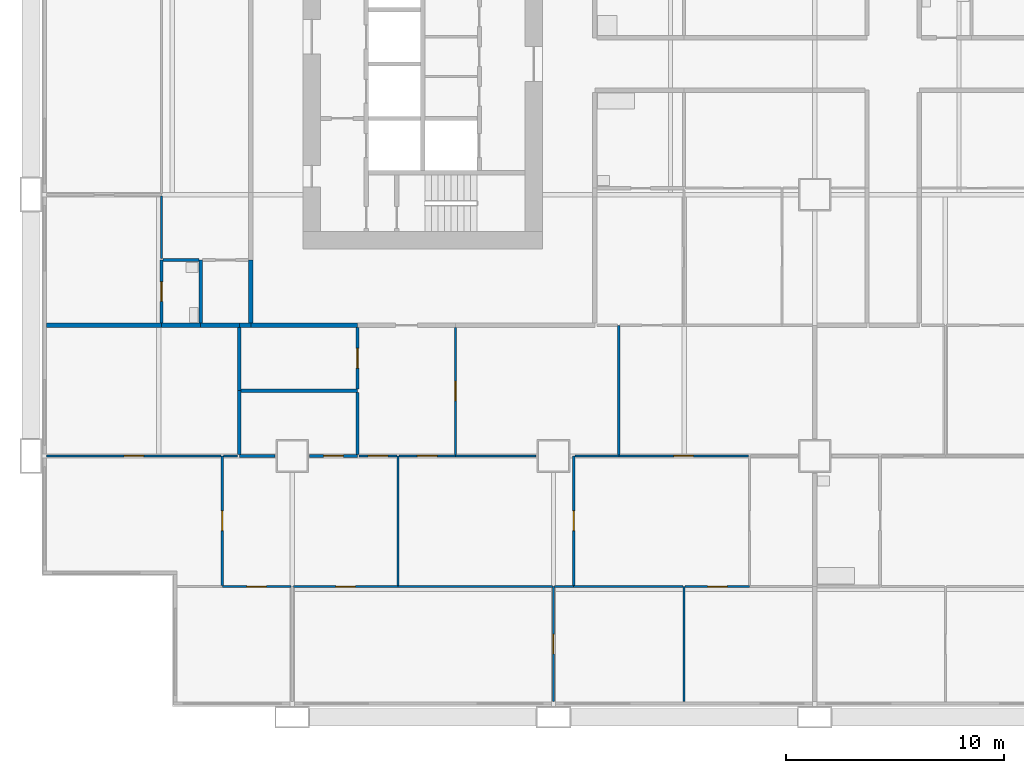
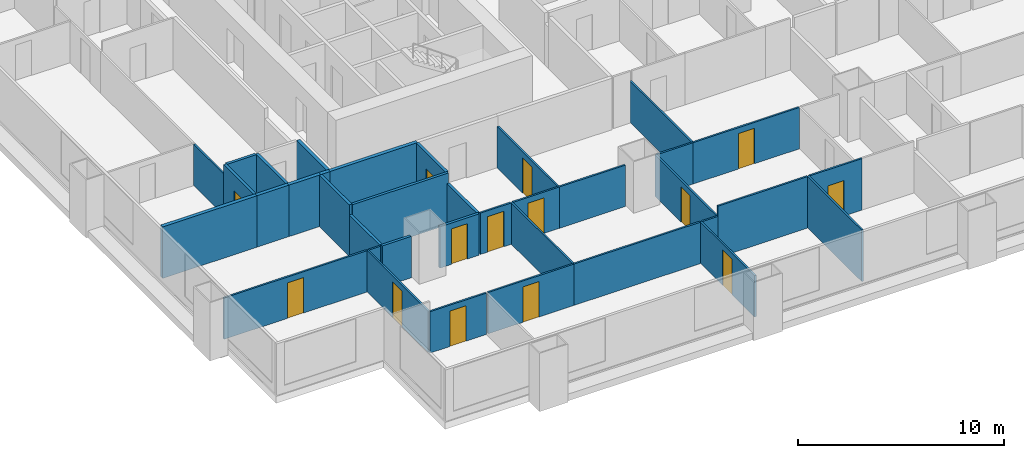
# One storey, part 2 of 13: 37 walls, 14 doors, 14 openings.
"""IFC4 building model written with IfcOpenShell, lengths in metres."""

from ifc_helpers import new_model, si_unit, direction, frame, frame_2d, origin, place, context, subcontext, project, spatial, rectangle, extrude, material, layer, layer_set, type_object, element, fill, save


model = new_model("IFC4")

# Units and contexts
model_context = context("Model", 3, precision=1e-05, world=origin(), true_north=direction((0.0, 1.0)))
body_context = subcontext(model_context, "Body", "Model", "MODEL_VIEW")
ifc_project = project(units=[si_unit("LENGTHUNIT", "METRE"), si_unit("AREAUNIT", "SQUARE_METRE"), si_unit("VOLUMEUNIT", "CUBIC_METRE"), si_unit("PLANEANGLEUNIT", "RADIAN"), si_unit("MASSUNIT", "GRAM", prefix="KILO")], contexts=[model_context])

# Site, building, storey
site_placement = place(None, origin())
site = spatial("IfcSite", under=ifc_project, at=site_placement, CompositionType="ELEMENT")
building_placement = place(site_placement, origin())
building = spatial("IfcBuilding", under=site, at=building_placement, Name="Kitamizu Gate Tower and Museum", CompositionType="ELEMENT")
storey_placement = place(building_placement, frame((0.0, 0.0, 81.75)))
storey = spatial("IfcBuildingStorey", under=building, at=storey_placement, Name="L20", CompositionType="ELEMENT", Elevation=81.75)

# Wall, opening, door
ifc_material_1 = material(Name="Gypsum board on galvanised stud")
ifc_layer_1 = layer(ifc_material_1, 0.10009765625)
ifc_layer_set_1 = layer_set([ifc_layer_1], Name="Gypsum board on galvanised stud")
wall_type_1 = type_object("IfcWallType", Name="Partition 100 NOT RATED", PredefinedType="PARTITIONING", material=ifc_layer_set_1)
wall_1_placement = place(storey_placement, frame((11.949951171875, 6.0, 0.0), z_axis=(0.0, 0.0, 1.0), x_axis=(-1.0, 0.0, 0.0)))
wall_1 = element("IfcWall", 1, at=wall_1_placement, inside=storey, type_object=wall_type_1, Name="Partition L20-003", PredefinedType="PARTITIONING", context=body_context, shape_type="SweptSolid", body=[
    extrude(rectangle(XDim=3.159912109375, YDim=0.10009765625, at=frame_2d((1.580078125, 0.0))), origin(), (0.0, 0.0, 1.0), 2.449951171875),
])
opening_1_placement = place(wall_1_placement, frame((1.1298828125, 0.0, 0.0)))
opening_1 = element("IfcOpeningElement", 2, at=opening_1_placement, cuts=wall_1, Name="Opening L20-004", PredefinedType="OPENING", context=body_context, shape_type="SweptSolid", body=[
    extrude(rectangle(XDim=0.89990234375, YDim=2.10009765625, at=frame_2d((0.449951171875, 1.050048828125))), frame((0.0, 0.06005859375, 0.0), z_axis=(0.0, -1.0, 0.0), x_axis=(1.0, 0.0, 0.0)), (0.0, 0.0, 1.0), 0.1201171875),
])
ifc_material_2 = material(Name="Timber door set", Category="wood")
door_type_1 = type_object("IfcDoorType", Name="Room door 900", OperationType="NOTDEFINED", PredefinedType="DOOR", material=ifc_material_2)
door_1_placement = place(opening_1_placement, origin())
door_1 = element("IfcDoor", 3, at=door_1_placement, inside=storey, type_object=door_type_1, Name="Door L20-004", OperationType="SINGLE_SWING_RIGHT", OverallHeight=2.10009765625, OverallWidth=0.89990234375, PredefinedType="DOOR", context=body_context, shape_type="SweptSolid", body=[
    extrude(rectangle(XDim=0.89990234375, YDim=2.10009765625, at=frame_2d((0.449951171875, 1.050048828125))), frame((0.0, 0.02490234375, 0.0), z_axis=(0.0, -1.0, 0.0), x_axis=(1.0, 0.0, 0.0)), (0.0, 0.0, 1.0), 0.050048828125),
])
fill(opening_1, door_1)

wall_2_placement = place(storey_placement, frame((24.0, 0.719970703125, 0.0), z_axis=(0.0, 0.0, 1.0), x_axis=(0.0, 1.0, 0.0)))
wall_2 = element("IfcWall", 4, at=wall_2_placement, inside=storey, type_object=wall_type_1, Name="Partition L20-004", PredefinedType="PARTITIONING", context=body_context, shape_type="SweptSolid", body=[
    extrude(rectangle(XDim=5.280029296875, YDim=0.10009765625, at=frame_2d((2.64013671875, 0.0))), origin(), (0.0, 0.0, 1.0), 2.449951171875),
])
opening_2_placement = place(wall_2_placement, frame((2.18994140625, 0.0, 0.0)))
opening_2 = element("IfcOpeningElement", 5, at=opening_2_placement, cuts=wall_2, Name="Opening L20-008", PredefinedType="OPENING", context=body_context, shape_type="SweptSolid", body=[
    extrude(rectangle(XDim=0.89990234375, YDim=2.10009765625, at=frame_2d((0.449951171875, 1.050048828125))), frame((0.0, 0.06005859375, 0.0), z_axis=(0.0, -1.0, 0.0), x_axis=(1.0, 0.0, 0.0)), (0.0, 0.0, 1.0), 0.1201171875),
])
door_2_placement = place(opening_2_placement, frame((0.89990234375, 0.0, 0.0), x_axis=(-1.0, 0.0, 0.0)))
door_2 = element("IfcDoor", 6, at=door_2_placement, inside=storey, type_object=door_type_1, Name="Door L20-008", OperationType="SINGLE_SWING_LEFT", OverallHeight=2.10009765625, OverallWidth=0.89990234375, PredefinedType="DOOR", context=body_context, shape_type="SweptSolid", body=[
    extrude(rectangle(XDim=0.89990234375, YDim=2.10009765625, at=frame_2d((0.449951171875, 1.050048828125))), frame((0.0, 0.02490234375, 0.0), z_axis=(0.0, -1.0, 0.0), x_axis=(1.0, 0.0, 0.0)), (0.0, 0.0, 1.0), 0.050048828125),
])
fill(opening_2, door_2)

wall_3_placement = place(storey_placement, frame((16.860107421875, 6.0, 0.0), z_axis=(0.0, 0.0, 1.0), x_axis=(-1.0, 0.0, 0.0)))
wall_3 = element("IfcWall", 7, at=wall_3_placement, inside=storey, type_object=wall_type_1, Name="Partition L20-005", PredefinedType="PARTITIONING", context=body_context, shape_type="SweptSolid", body=[
    extrude(rectangle(XDim=4.81005859375, YDim=0.10009765625, at=frame_2d((2.405029296875, 0.0))), origin(), (0.0, 0.0, 1.0), 2.449951171875),
])
opening_3_placement = place(wall_3_placement, frame((1.955078125, 0.0, 0.0)))
opening_3 = element("IfcOpeningElement", 8, at=opening_3_placement, cuts=wall_3, Name="Opening L20-005", PredefinedType="OPENING", context=body_context, shape_type="SweptSolid", body=[
    extrude(rectangle(XDim=0.89990234375, YDim=2.10009765625, at=frame_2d((0.449951171875, 1.050048828125))), frame((0.0, 0.06005859375, 0.0), z_axis=(0.0, -1.0, 0.0), x_axis=(1.0, 0.0, 0.0)), (0.0, 0.0, 1.0), 0.1201171875),
])
door_3_placement = place(opening_3_placement, frame((0.89990234375, 0.0, 0.0), x_axis=(-1.0, 0.0, 0.0)))
door_3 = element("IfcDoor", 9, at=door_3_placement, inside=storey, type_object=door_type_1, Name="Door L20-005", OperationType="SINGLE_SWING_RIGHT", OverallHeight=2.10009765625, OverallWidth=0.89990234375, PredefinedType="DOOR", context=body_context, shape_type="SweptSolid", body=[
    extrude(rectangle(XDim=0.89990234375, YDim=2.10009765625, at=frame_2d((0.449951171875, 1.050048828125))), frame((0.0, 0.02490234375, 0.0), z_axis=(0.0, -1.0, 0.0), x_axis=(1.0, 0.0, 0.0)), (0.0, 0.0, 1.0), 0.050048828125),
])
fill(opening_3, door_3)

# Walls
wall_4_placement = place(storey_placement, frame((23.949951171875, 6.0, 0.0), z_axis=(0.0, 0.0, 1.0), x_axis=(-1.0, 0.0, 0.0)))
element("IfcWall", 10, at=wall_4_placement, inside=storey, type_object=wall_type_1, Name="Partition L20-006", PredefinedType="PARTITIONING", context=body_context, shape_type="SweptSolid", body=[
    extrude(rectangle(XDim=7.08984375, YDim=0.10009765625, at=frame_2d((3.544921875, 0.0))), origin(), (0.0, 0.0, 1.0), 2.449951171875),
])
wall_5_placement = place(storey_placement, frame((30.0, 0.719970703125, 0.0), z_axis=(0.0, 0.0, 1.0), x_axis=(0.0, 1.0, 0.0)))
element("IfcWall", 11, at=wall_5_placement, inside=storey, type_object=wall_type_1, Name="Partition L20-007", PredefinedType="PARTITIONING", context=body_context, shape_type="SweptSolid", body=[
    extrude(rectangle(XDim=5.280029296875, YDim=0.10009765625, at=frame_2d((2.64013671875, 0.0))), origin(), (0.0, 0.0, 1.0), 3.050048828125),
])
wall_6_placement = place(storey_placement, frame((24.929931640625, 6.0, 0.0), z_axis=(0.0, 0.0, 1.0), x_axis=(-1.0, 0.0, 0.0)))
element("IfcWall", 12, at=wall_6_placement, inside=storey, type_object=wall_type_1, Name="Partition L20-008", PredefinedType="PARTITIONING", context=body_context, shape_type="SweptSolid", body=[
    extrude(rectangle(XDim=0.8798828125, YDim=0.10009765625, at=frame_2d((0.43994140625, 0.0))), origin(), (0.0, 0.0, 1.0), 2.449951171875),
])
wall_7_placement = place(storey_placement, frame((29.949951171875, 6.0, 0.0), z_axis=(0.0, 0.0, 1.0), x_axis=(-1.0, 0.0, 0.0)))
element("IfcWall", 13, at=wall_7_placement, inside=storey, type_object=wall_type_1, Name="Partition L20-009", PredefinedType="PARTITIONING", context=body_context, shape_type="SweptSolid", body=[
    extrude(rectangle(XDim=5.02001953125, YDim=0.10009765625, at=frame_2d((2.510009765625, 0.0))), origin(), (0.0, 0.0, 1.0), 3.050048828125),
])

# Wall, opening, door
wall_8_placement = place(storey_placement, frame((33.0, 6.0, 0.0), z_axis=(0.0, 0.0, 1.0), x_axis=(-1.0, 0.0, 0.0)))
wall_8 = element("IfcWall", 14, at=wall_8_placement, inside=storey, type_object=wall_type_1, Name="Partition L20-010", PredefinedType="PARTITIONING", context=body_context, shape_type="SweptSolid", body=[
    extrude(rectangle(XDim=2.949951171875, YDim=0.10009765625, at=frame_2d((1.47509765625, 0.0))), origin(), (0.0, 0.0, 1.0), 3.050048828125),
])
opening_4_placement = place(wall_8_placement, frame((1.02490234375, 0.0, 0.0)))
opening_4 = element("IfcOpeningElement", 15, at=opening_4_placement, cuts=wall_8, Name="Opening L20-009", PredefinedType="OPENING", context=body_context, shape_type="SweptSolid", body=[
    extrude(rectangle(XDim=0.89990234375, YDim=2.10009765625, at=frame_2d((0.449951171875, 1.050048828125))), frame((0.0, 0.06005859375, 0.0), z_axis=(0.0, -1.0, 0.0), x_axis=(1.0, 0.0, 0.0)), (0.0, 0.0, 1.0), 0.1201171875),
])
door_4_placement = place(opening_4_placement, origin())
door_4 = element("IfcDoor", 16, at=door_4_placement, inside=storey, type_object=door_type_1, Name="Door L20-009", OperationType="SINGLE_SWING_LEFT", OverallHeight=2.10009765625, OverallWidth=0.89990234375, PredefinedType="DOOR", context=body_context, shape_type="SweptSolid", body=[
    extrude(rectangle(XDim=0.89990234375, YDim=2.10009765625, at=frame_2d((0.449951171875, 1.050048828125))), frame((0.0, 0.02490234375, 0.0), z_axis=(0.0, -1.0, 0.0), x_axis=(1.0, 0.0, 0.0)), (0.0, 0.0, 1.0), 0.050048828125),
])
fill(opening_4, door_4)

wall_9_placement = place(storey_placement, frame((8.7900390625, 6.050048828125, 0.0), z_axis=(0.0, 0.0, 1.0), x_axis=(0.0, 1.0, 0.0)))
wall_9 = element("IfcWall", 17, at=wall_9_placement, inside=storey, type_object=wall_type_1, Name="Partition L20-013", PredefinedType="PARTITIONING", context=body_context, shape_type="SweptSolid", body=[
    extrude(rectangle(XDim=5.949951171875, YDim=0.10009765625, at=frame_2d((2.97509765625, 0.0))), origin(), (0.0, 0.0, 1.0), 2.449951171875),
])
opening_5_placement = place(wall_9_placement, frame((2.52490234375, 0.0, 0.0)))
opening_5 = element("IfcOpeningElement", 18, at=opening_5_placement, cuts=wall_9, Name="Opening L20-006", PredefinedType="OPENING", context=body_context, shape_type="SweptSolid", body=[
    extrude(rectangle(XDim=0.89990234375, YDim=2.10009765625, at=frame_2d((0.449951171875, 1.050048828125))), frame((0.0, 0.06005859375, 0.0), z_axis=(0.0, -1.0, 0.0), x_axis=(1.0, 0.0, 0.0)), (0.0, 0.0, 1.0), 0.1201171875),
])
door_5_placement = place(opening_5_placement, frame((0.89990234375, 0.0, 0.0), x_axis=(-1.0, 0.0, 0.0)))
door_5 = element("IfcDoor", 19, at=door_5_placement, inside=storey, type_object=door_type_1, Name="Door L20-006", OperationType="SINGLE_SWING_LEFT", OverallHeight=2.10009765625, OverallWidth=0.89990234375, PredefinedType="DOOR", context=body_context, shape_type="SweptSolid", body=[
    extrude(rectangle(XDim=0.89990234375, YDim=2.10009765625, at=frame_2d((0.449951171875, 1.050048828125))), frame((0.0, 0.02490234375, 0.0), z_axis=(0.0, -1.0, 0.0), x_axis=(1.0, 0.0, 0.0)), (0.0, 0.0, 1.0), 0.050048828125),
])
fill(opening_5, door_5)

wall_10_placement = place(storey_placement, frame((8.739990234375, 12.0, 0.0), z_axis=(0.0, 0.0, 1.0), x_axis=(-1.0, 0.0, 0.0)))
wall_10 = element("IfcWall", 20, at=wall_10_placement, inside=storey, type_object=wall_type_1, Name="Partition L20-014", PredefinedType="PARTITIONING", context=body_context, shape_type="SweptSolid", body=[
    extrude(rectangle(XDim=8.02001953125, YDim=0.10009765625, at=frame_2d((4.010009765625, 0.0))), origin(), (0.0, 0.0, 1.0), 2.449951171875),
])
opening_6_placement = place(wall_10_placement, frame((3.56005859375, 0.0, 0.0)))
opening_6 = element("IfcOpeningElement", 21, at=opening_6_placement, cuts=wall_10, Name="Opening L20-011", PredefinedType="OPENING", context=body_context, shape_type="SweptSolid", body=[
    extrude(rectangle(XDim=0.89990234375, YDim=2.10009765625, at=frame_2d((0.449951171875, 1.050048828125))), frame((0.0, 0.06005859375, 0.0), z_axis=(0.0, -1.0, 0.0), x_axis=(1.0, 0.0, 0.0)), (0.0, 0.0, 1.0), 0.1201171875),
])
door_6_placement = place(opening_6_placement, frame((0.89990234375, 0.0, 0.0), x_axis=(-1.0, 0.0, 0.0)))
door_6 = element("IfcDoor", 22, at=door_6_placement, inside=storey, type_object=door_type_1, Name="Door L20-011", OperationType="SINGLE_SWING_LEFT", OverallHeight=2.10009765625, OverallWidth=0.89990234375, PredefinedType="DOOR", context=body_context, shape_type="SweptSolid", body=[
    extrude(rectangle(XDim=0.89990234375, YDim=2.10009765625, at=frame_2d((0.449951171875, 1.050048828125))), frame((0.0, 0.02490234375, 0.0), z_axis=(0.0, -1.0, 0.0), x_axis=(1.0, 0.0, 0.0)), (0.0, 0.0, 1.0), 0.050048828125),
])
fill(opening_6, door_6)

# Walls
wall_11_placement = place(storey_placement, frame((16.860107421875, 6.050048828125, 0.0), z_axis=(0.0, 0.0, 1.0), x_axis=(0.0, 1.0, 0.0)))
element("IfcWall", 23, at=wall_11_placement, inside=storey, type_object=wall_type_1, Name="Partition L20-015", PredefinedType="PARTITIONING", context=body_context, shape_type="SweptSolid", body=[
    extrude(rectangle(XDim=5.949951171875, YDim=0.10009765625, at=frame_2d((2.97509765625, 0.0))), origin(), (0.0, 0.0, 1.0), 2.449951171875),
])
wall_12_placement = place(storey_placement, frame((9.4990234375, 12.0, 0.0), z_axis=(0.0, 0.0, 1.0), x_axis=(-1.0, 0.0, 0.0)))
element("IfcWall", 24, at=wall_12_placement, inside=storey, type_object=wall_type_1, Name="Partition L20-016", PredefinedType="PARTITIONING", context=body_context, shape_type="SweptSolid", body=[
    extrude(rectangle(XDim=0.658935546875, YDim=0.10009765625, at=frame_2d((0.32958984375, 0.0))), origin(), (0.0, 0.0, 1.0), 2.449951171875),
])

# Wall, opening, door
wall_13_placement = place(storey_placement, frame((16.81005859375, 12.0, 0.0), z_axis=(0.0, 0.0, 1.0), x_axis=(-1.0, 0.0, 0.0)))
wall_13 = element("IfcWall", 25, at=wall_13_placement, inside=storey, type_object=wall_type_1, Name="Partition L20-019", PredefinedType="PARTITIONING", context=body_context, shape_type="SweptSolid", body=[
    extrude(rectangle(XDim=1.735107421875, YDim=0.10009765625, at=frame_2d((0.86767578125, 0.0))), origin(), (0.0, 0.0, 1.0), 2.449951171875),
])
opening_7_placement = place(wall_13_placement, frame((0.41748046875, 0.0, 0.0)))
opening_7 = element("IfcOpeningElement", 26, at=opening_7_placement, cuts=wall_13, Name="Opening L20-002", PredefinedType="OPENING", context=body_context, shape_type="SweptSolid", body=[
    extrude(rectangle(XDim=0.89990234375, YDim=2.10009765625, at=frame_2d((0.449951171875, 1.050048828125))), frame((0.0, 0.06005859375, 0.0), z_axis=(0.0, -1.0, 0.0), x_axis=(1.0, 0.0, 0.0)), (0.0, 0.0, 1.0), 0.1201171875),
])
door_7_placement = place(opening_7_placement, origin())
door_7 = element("IfcDoor", 27, at=door_7_placement, inside=storey, type_object=door_type_1, Name="Door L20-002", OperationType="SINGLE_SWING_RIGHT", OverallHeight=2.10009765625, OverallWidth=0.89990234375, PredefinedType="DOOR", context=body_context, shape_type="SweptSolid", body=[
    extrude(rectangle(XDim=0.89990234375, YDim=2.10009765625, at=frame_2d((0.449951171875, 1.050048828125))), frame((0.0, 0.02490234375, 0.0), z_axis=(0.0, -1.0, 0.0), x_axis=(1.0, 0.0, 0.0)), (0.0, 0.0, 1.0), 0.050048828125),
])
fill(opening_7, door_7)

wall_14_placement = place(storey_placement, frame((24.929931640625, 6.050048828125, 0.0), z_axis=(0.0, 0.0, 1.0), x_axis=(0.0, 1.0, 0.0)))
wall_14 = element("IfcWall", 28, at=wall_14_placement, inside=storey, type_object=wall_type_1, Name="Partition L20-020", PredefinedType="PARTITIONING", context=body_context, shape_type="SweptSolid", body=[
    extrude(rectangle(XDim=5.949951171875, YDim=0.10009765625, at=frame_2d((2.97509765625, 0.0))), origin(), (0.0, 0.0, 1.0), 2.449951171875),
])
opening_8_placement = place(wall_14_placement, frame((2.52490234375, 0.0, 0.0)))
opening_8 = element("IfcOpeningElement", 29, at=opening_8_placement, cuts=wall_14, Name="Opening L20-007", PredefinedType="OPENING", context=body_context, shape_type="SweptSolid", body=[
    extrude(rectangle(XDim=0.89990234375, YDim=2.10009765625, at=frame_2d((0.449951171875, 1.050048828125))), frame((0.0, 0.06005859375, 0.0), z_axis=(0.0, -1.0, 0.0), x_axis=(1.0, 0.0, 0.0)), (0.0, 0.0, 1.0), 0.1201171875),
])
door_8_placement = place(opening_8_placement, origin())
door_8 = element("IfcDoor", 30, at=door_8_placement, inside=storey, type_object=door_type_1, Name="Door L20-007", OperationType="SINGLE_SWING_LEFT", OverallHeight=2.10009765625, OverallWidth=0.89990234375, PredefinedType="DOOR", context=body_context, shape_type="SweptSolid", body=[
    extrude(rectangle(XDim=0.89990234375, YDim=2.10009765625, at=frame_2d((0.449951171875, 1.050048828125))), frame((0.0, 0.02490234375, 0.0), z_axis=(0.0, -1.0, 0.0), x_axis=(1.0, 0.0, 0.0)), (0.0, 0.0, 1.0), 0.050048828125),
])
fill(opening_8, door_8)

wall_15_placement = place(storey_placement, frame((19.5, 12.0, 0.0), z_axis=(0.0, 0.0, 1.0), x_axis=(-1.0, 0.0, 0.0)))
wall_15 = element("IfcWall", 31, at=wall_15_placement, inside=storey, type_object=wall_type_1, Name="Partition L20-021", PredefinedType="PARTITIONING", context=body_context, shape_type="SweptSolid", body=[
    extrude(rectangle(XDim=2.590087890625, YDim=0.10009765625, at=frame_2d((1.294921875, 0.0))), origin(), (0.0, 0.0, 1.0), 2.449951171875),
])
opening_9_placement = place(wall_15_placement, frame((0.844970703125, 0.0, 0.0)))
opening_9 = element("IfcOpeningElement", 32, at=opening_9_placement, cuts=wall_15, Name="Opening L20-003", PredefinedType="OPENING", context=body_context, shape_type="SweptSolid", body=[
    extrude(rectangle(XDim=0.89990234375, YDim=2.10009765625, at=frame_2d((0.449951171875, 1.050048828125))), frame((0.0, 0.06005859375, 0.0), z_axis=(0.0, -1.0, 0.0), x_axis=(1.0, 0.0, 0.0)), (0.0, 0.0, 1.0), 0.1201171875),
])
door_9_placement = place(opening_9_placement, origin())
door_9 = element("IfcDoor", 33, at=door_9_placement, inside=storey, type_object=door_type_1, Name="Door L20-003", OperationType="SINGLE_SWING_LEFT", OverallHeight=2.10009765625, OverallWidth=0.89990234375, PredefinedType="DOOR", context=body_context, shape_type="SweptSolid", body=[
    extrude(rectangle(XDim=0.89990234375, YDim=2.10009765625, at=frame_2d((0.449951171875, 1.050048828125))), frame((0.0, 0.02490234375, 0.0), z_axis=(0.0, -1.0, 0.0), x_axis=(1.0, 0.0, 0.0)), (0.0, 0.0, 1.0), 0.050048828125),
])
fill(opening_9, door_9)

# Walls
wall_16_placement = place(storey_placement, frame((23.199951171875, 12.0, 0.0), z_axis=(0.0, 0.0, 1.0), x_axis=(-1.0, 0.0, 0.0)))
element("IfcWall", 34, at=wall_16_placement, inside=storey, type_object=wall_type_1, Name="Partition L20-022", PredefinedType="PARTITIONING", context=body_context, shape_type="SweptSolid", body=[
    extrude(rectangle(XDim=3.699951171875, YDim=0.10009765625, at=frame_2d((1.85009765625, 0.0))), origin(), (0.0, 0.0, 1.0), 2.449951171875),
])
wall_17_placement = place(storey_placement, frame((27.0, 12.0, 0.0), z_axis=(0.0, 0.0, 1.0), x_axis=(-1.0, 0.0, 0.0)))
element("IfcWall", 35, at=wall_17_placement, inside=storey, type_object=wall_type_1, Name="Partition L20-024", PredefinedType="PARTITIONING", context=body_context, shape_type="SweptSolid", body=[
    extrude(rectangle(XDim=2.02001953125, YDim=0.10009765625, at=frame_2d((1.010009765625, 0.0))), origin(), (0.0, 0.0, 1.0), 2.449951171875),
])

# Wall, opening, door
wall_18_placement = place(storey_placement, frame((32.949951171875, 12.0, 0.0), z_axis=(0.0, 0.0, 1.0), x_axis=(-1.0, 0.0, 0.0)))
wall_18 = element("IfcWall", 36, at=wall_18_placement, inside=storey, type_object=wall_type_1, Name="Partition L20-025", PredefinedType="PARTITIONING", context=body_context, shape_type="SweptSolid", body=[
    extrude(rectangle(XDim=5.949951171875, YDim=0.10009765625, at=frame_2d((2.97509765625, 0.0))), origin(), (0.0, 0.0, 1.0), 2.449951171875),
])
opening_10_placement = place(wall_18_placement, frame((2.52490234375, 0.0, 0.0)))
opening_10 = element("IfcOpeningElement", 37, at=opening_10_placement, cuts=wall_18, Name="Opening L20-015", PredefinedType="OPENING", context=body_context, shape_type="SweptSolid", body=[
    extrude(rectangle(XDim=0.89990234375, YDim=2.10009765625, at=frame_2d((0.449951171875, 1.050048828125))), frame((0.0, 0.06005859375, 0.0), z_axis=(0.0, -1.0, 0.0), x_axis=(1.0, 0.0, 0.0)), (0.0, 0.0, 1.0), 0.1201171875),
])
door_10_placement = place(opening_10_placement, origin())
door_10 = element("IfcDoor", 38, at=door_10_placement, inside=storey, type_object=door_type_1, Name="Door L20-015", OperationType="SINGLE_SWING_RIGHT", OverallHeight=2.10009765625, OverallWidth=0.89990234375, PredefinedType="DOOR", context=body_context, shape_type="SweptSolid", body=[
    extrude(rectangle(XDim=0.89990234375, YDim=2.10009765625, at=frame_2d((0.449951171875, 1.050048828125))), frame((0.0, 0.02490234375, 0.0), z_axis=(0.0, -1.0, 0.0), x_axis=(1.0, 0.0, 0.0)), (0.0, 0.0, 1.0), 0.050048828125),
])
fill(opening_10, door_10)

wall_19_placement = place(storey_placement, frame((19.5, 12.050048828125, 0.0), z_axis=(0.0, 0.0, 1.0), x_axis=(0.0, 1.0, 0.0)))
wall_19 = element("IfcWall", 39, at=wall_19_placement, inside=storey, type_object=wall_type_1, Name="Partition L20-038", PredefinedType="PARTITIONING", context=body_context, shape_type="SweptSolid", body=[
    extrude(rectangle(XDim=5.849853515625, YDim=0.10009765625, at=frame_2d((2.9248046875, 0.0))), origin(), (0.0, 0.0, 1.0), 2.449951171875),
])
opening_11_placement = place(wall_19_placement, frame((2.47509765625, 0.0, 0.0)))
opening_11 = element("IfcOpeningElement", 40, at=opening_11_placement, cuts=wall_19, Name="Opening L20-014", PredefinedType="OPENING", context=body_context, shape_type="SweptSolid", body=[
    extrude(rectangle(XDim=0.89990234375, YDim=2.10009765625, at=frame_2d((0.449951171875, 1.050048828125))), frame((0.0, 0.06005859375, 0.0), z_axis=(0.0, -1.0, 0.0), x_axis=(1.0, 0.0, 0.0)), (0.0, 0.0, 1.0), 0.1201171875),
])
door_11_placement = place(opening_11_placement, frame((0.89990234375, 0.0, 0.0), x_axis=(-1.0, 0.0, 0.0)))
door_11 = element("IfcDoor", 41, at=door_11_placement, inside=storey, type_object=door_type_1, Name="Door L20-014", OperationType="SINGLE_SWING_RIGHT", OverallHeight=2.10009765625, OverallWidth=0.89990234375, PredefinedType="DOOR", context=body_context, shape_type="SweptSolid", body=[
    extrude(rectangle(XDim=0.89990234375, YDim=2.10009765625, at=frame_2d((0.449951171875, 1.050048828125))), frame((0.0, 0.02490234375, 0.0), z_axis=(0.0, -1.0, 0.0), x_axis=(1.0, 0.0, 0.0)), (0.0, 0.0, 1.0), 0.050048828125),
])
fill(opening_11, door_11)

# Walls
wall_20_placement = place(storey_placement, frame((27.0, 12.050048828125, 0.0), z_axis=(0.0, 0.0, 1.0), x_axis=(0.0, 1.0, 0.0)))
element("IfcWall", 42, at=wall_20_placement, inside=storey, type_object=wall_type_1, Name="Partition L20-040", PredefinedType="PARTITIONING", context=body_context, shape_type="SweptSolid", body=[
    extrude(rectangle(XDim=5.949951171875, YDim=0.10009765625, at=frame_2d((2.97509765625, 0.0))), origin(), (0.0, 0.0, 1.0), 2.449951171875),
])
wall_21_placement = place(storey_placement, frame((6.0, 21.074951171875, 0.0), z_axis=(0.0, 0.0, 1.0), x_axis=(0.0, 1.0, 0.0)))
element("IfcWall", 43, at=wall_21_placement, inside=storey, type_object=wall_type_1, Name="Partition L20-065", PredefinedType="PARTITIONING", context=body_context, shape_type="SweptSolid", body=[
    extrude(rectangle(XDim=2.875, YDim=0.10009765625, at=frame_2d((1.4375, 0.0))), origin(), (0.0, 0.0, 1.0), 2.449951171875),
])
ifc_material_3 = material(Name="Gypsum board on galvanised stud")
ifc_layer_2 = layer(ifc_material_3, 0.14990234375)
ifc_layer_set_2 = layer_set([ifc_layer_2], Name="Gypsum board on galvanised stud")
wall_type_2 = type_object("IfcWallType", Name="Partition 150", PredefinedType="PARTITIONING", material=ifc_layer_set_2)
wall_22_placement = place(storey_placement, frame((11.199951171875, 12.0, 0.0), z_axis=(0.0, 0.0, 1.0), x_axis=(-1.0, 0.0, 0.0)))
element("IfcWall", 44, at=wall_22_placement, inside=storey, type_object=wall_type_2, Name="Partition L20-017", PredefinedType="PARTITIONING", context=body_context, shape_type="SweptSolid", body=[
    extrude(rectangle(XDim=1.6259765625, YDim=0.14990234375, at=frame_2d((0.81298828125, 0.0))), origin(), (0.0, 0.0, 1.0), 2.449951171875),
])

# Wall, opening, door
wall_23_placement = place(storey_placement, frame((15.0, 12.0, 0.0), z_axis=(0.0, 0.0, 1.0), x_axis=(-1.0, 0.0, 0.0)))
wall_23 = element("IfcWall", 45, at=wall_23_placement, inside=storey, type_object=wall_type_2, Name="Partition L20-018", PredefinedType="PARTITIONING", context=body_context, shape_type="SweptSolid", body=[
    extrude(rectangle(XDim=2.199951171875, YDim=0.14990234375, at=frame_2d((1.10009765625, 0.0))), origin(), (0.0, 0.0, 1.0), 2.449951171875),
])
opening_12_placement = place(wall_23_placement, frame((0.64990234375, 0.0, 0.0)))
opening_12 = element("IfcOpeningElement", 46, at=opening_12_placement, cuts=wall_23, Name="Opening L20-012", PredefinedType="OPENING", context=body_context, shape_type="SweptSolid", body=[
    extrude(rectangle(XDim=0.89990234375, YDim=2.10009765625, at=frame_2d((0.449951171875, 1.050048828125))), frame((0.0, 0.0849609375, 0.0), z_axis=(0.0, -1.0, 0.0), x_axis=(1.0, 0.0, 0.0)), (0.0, 0.0, 1.0), 0.169921875),
])
ifc_material_4 = material(Name="Timber door set", Category="wood")
door_type_2 = type_object("IfcDoorType", Name="Bathroom door 900", OperationType="NOTDEFINED", PredefinedType="DOOR", material=ifc_material_4)
door_12_placement = place(opening_12_placement, frame((0.89990234375, 0.0, 0.0), x_axis=(-1.0, 0.0, 0.0)))
door_12 = element("IfcDoor", 47, at=door_12_placement, inside=storey, type_object=door_type_2, Name="Bathroom door L20-012", OperationType="SINGLE_SWING_RIGHT", OverallHeight=2.10009765625, OverallWidth=0.89990234375, PredefinedType="DOOR", context=body_context, shape_type="SweptSolid", body=[
    extrude(rectangle(XDim=0.89990234375, YDim=2.10009765625, at=frame_2d((0.449951171875, 1.050048828125))), frame((0.0, 0.02490234375, 0.0), z_axis=(0.0, -1.0, 0.0), x_axis=(1.0, 0.0, 0.0)), (0.0, 0.0, 1.0), 0.050048828125),
])
fill(opening_12, door_12)

# Walls
wall_24_placement = place(storey_placement, frame((9.573974609375, 12.074951171875, 0.0), z_axis=(0.0, 0.0, 1.0), x_axis=(0.0, 1.0, 0.0)))
element("IfcWall", 48, at=wall_24_placement, inside=storey, type_object=wall_type_2, Name="Partition L20-028", PredefinedType="PARTITIONING", context=body_context, shape_type="SweptSolid", body=[
    extrude(rectangle(XDim=2.925048828125, YDim=0.14990234375, at=frame_2d((1.46240234375, 0.0))), origin(), (0.0, 0.0, 1.0), 2.449951171875),
])
wall_25_placement = place(storey_placement, frame((9.573974609375, 15.0, 0.0), z_axis=(0.0, 0.0, 1.0), x_axis=(0.0, 1.0, 0.0)))
element("IfcWall", 49, at=wall_25_placement, inside=storey, type_object=wall_type_2, Name="Partition L20-029", PredefinedType="PARTITIONING", context=body_context, shape_type="SweptSolid", body=[
    extrude(rectangle(XDim=2.89990234375, YDim=0.14990234375, at=frame_2d((1.449951171875, 0.0))), origin(), (0.0, 0.0, 1.0), 3.050048828125),
])
wall_26_placement = place(storey_placement, frame((15.0, 15.0, 0.0), z_axis=(0.0, 0.0, 1.0), x_axis=(-1.0, 0.0, 0.0)))
element("IfcWall", 50, at=wall_26_placement, inside=storey, type_object=wall_type_2, Name="Partition L20-033", PredefinedType="PARTITIONING", context=body_context, shape_type="SweptSolid", body=[
    extrude(rectangle(XDim=5.35107421875, YDim=0.14990234375, at=frame_2d((2.675537109375, 0.0))), origin(), (0.0, 0.0, 1.0), 3.050048828125),
])
wall_27_placement = place(storey_placement, frame((15.0, 12.074951171875, 0.0), z_axis=(0.0, 0.0, 1.0), x_axis=(0.0, 1.0, 0.0)))
element("IfcWall", 51, at=wall_27_placement, inside=storey, type_object=wall_type_2, Name="Partition L20-034", PredefinedType="PARTITIONING", context=body_context, shape_type="SweptSolid", body=[
    extrude(rectangle(XDim=2.85009765625, YDim=0.14990234375, at=frame_2d((1.425048828125, 0.0))), origin(), (0.0, 0.0, 1.0), 2.449951171875),
])

# Wall, opening, door
wall_28_placement = place(storey_placement, frame((15.0, 15.074951171875, 0.0), z_axis=(0.0, 0.0, 1.0), x_axis=(0.0, 1.0, 0.0)))
wall_28 = element("IfcWall", 52, at=wall_28_placement, inside=storey, type_object=wall_type_2, Name="Partition L20-035", PredefinedType="PARTITIONING", context=body_context, shape_type="SweptSolid", body=[
    extrude(rectangle(XDim=2.824951171875, YDim=0.14990234375, at=frame_2d((1.41259765625, 0.0))), origin(), (0.0, 0.0, 1.0), 3.050048828125),
])
opening_13_placement = place(wall_28_placement, frame((0.96240234375, 0.0, 0.0)))
opening_13 = element("IfcOpeningElement", 53, at=opening_13_placement, cuts=wall_28, Name="Opening L20-013", PredefinedType="OPENING", context=body_context, shape_type="SweptSolid", body=[
    extrude(rectangle(XDim=0.89990234375, YDim=2.10009765625, at=frame_2d((0.449951171875, 1.050048828125))), frame((0.0, 0.0849609375, 0.0), z_axis=(0.0, -1.0, 0.0), x_axis=(1.0, 0.0, 0.0)), (0.0, 0.0, 1.0), 0.169921875),
])
door_13_placement = place(opening_13_placement, origin())
door_13 = element("IfcDoor", 54, at=door_13_placement, inside=storey, type_object=door_type_2, Name="Bathroom door L20-013", OperationType="SINGLE_SWING_RIGHT", OverallHeight=2.10009765625, OverallWidth=0.89990234375, PredefinedType="DOOR", context=body_context, shape_type="SweptSolid", body=[
    extrude(rectangle(XDim=0.89990234375, YDim=2.10009765625, at=frame_2d((0.449951171875, 1.050048828125))), frame((0.0, 0.02490234375, 0.0), z_axis=(0.0, -1.0, 0.0), x_axis=(1.0, 0.0, 0.0)), (0.0, 0.0, 1.0), 0.050048828125),
])
fill(opening_13, door_13)

wall_29_placement = place(storey_placement, frame((6.0, 18.10009765625, 0.0), z_axis=(0.0, 0.0, 1.0), x_axis=(0.0, 1.0, 0.0)))
wall_29 = element("IfcWall", 55, at=wall_29_placement, inside=storey, type_object=wall_type_2, Name="Partition L20-064", PredefinedType="PARTITIONING", context=body_context, shape_type="SweptSolid", body=[
    extrude(rectangle(XDim=2.89990234375, YDim=0.14990234375, at=frame_2d((1.449951171875, 0.0))), origin(), (0.0, 0.0, 1.0), 3.050048828125),
])
opening_14_placement = place(wall_29_placement, frame((1.0, 0.0, 0.0)))
opening_14 = element("IfcOpeningElement", 56, at=opening_14_placement, cuts=wall_29, Name="Opening L20-027", PredefinedType="OPENING", context=body_context, shape_type="SweptSolid", body=[
    extrude(rectangle(XDim=0.89990234375, YDim=2.10009765625, at=frame_2d((0.449951171875, 1.050048828125))), frame((0.0, 0.0849609375, 0.0), z_axis=(0.0, -1.0, 0.0), x_axis=(1.0, 0.0, 0.0)), (0.0, 0.0, 1.0), 0.169921875),
])
door_14_placement = place(opening_14_placement, frame((0.89990234375, 0.0, 0.0), x_axis=(-1.0, 0.0, 0.0)))
door_14 = element("IfcDoor", 57, at=door_14_placement, inside=storey, type_object=door_type_2, Name="Bathroom door L20-027", OperationType="SINGLE_SWING_RIGHT", OverallHeight=2.10009765625, OverallWidth=0.89990234375, PredefinedType="DOOR", context=body_context, shape_type="SweptSolid", body=[
    extrude(rectangle(XDim=0.89990234375, YDim=2.10009765625, at=frame_2d((0.449951171875, 1.050048828125))), frame((0.0, 0.02490234375, 0.0), z_axis=(0.0, -1.0, 0.0), x_axis=(1.0, 0.0, 0.0)), (0.0, 0.0, 1.0), 0.050048828125),
])
fill(opening_14, door_14)

# Walls
wall_30_placement = place(storey_placement, frame((7.800048828125, 18.10009765625, 0.0), z_axis=(0.0, 0.0, 1.0), x_axis=(0.0, 1.0, 0.0)))
element("IfcWall", 58, at=wall_30_placement, inside=storey, type_object=wall_type_2, Name="Partition L20-071", PredefinedType="PARTITIONING", context=body_context, shape_type="SweptSolid", body=[
    extrude(rectangle(XDim=2.89990234375, YDim=0.14990234375, at=frame_2d((1.449951171875, 0.0))), origin(), (0.0, 0.0, 1.0), 3.050048828125),
])
wall_31_placement = place(storey_placement, frame((7.72509765625, 21.0, 0.0), z_axis=(0.0, 0.0, 1.0), x_axis=(-1.0, 0.0, 0.0)))
element("IfcWall", 59, at=wall_31_placement, inside=storey, type_object=wall_type_2, Name="Partition L20-072", PredefinedType="PARTITIONING", context=body_context, shape_type="SweptSolid", body=[
    extrude(rectangle(XDim=1.650146484375, YDim=0.14990234375, at=frame_2d((0.8251953125, 0.0))), origin(), (0.0, 0.0, 1.0), 3.050048828125),
])
ifc_material_5 = material(Name="Gypsum board on galvanised stud")
ifc_layer_3 = layer(ifc_material_5, 0.199951171875)
ifc_layer_set_3 = layer_set([ifc_layer_3], Name="Gypsum board on galvanised stud")
wall_type_3 = type_object("IfcWallType", Name="Partition 200", PredefinedType="PARTITIONING", material=ifc_layer_set_3)
wall_32_placement = place(storey_placement, frame((6.0, 18.0, 0.0), z_axis=(0.0, 0.0, 1.0), x_axis=(-1.0, 0.0, 0.0)))
element("IfcWall", 60, at=wall_32_placement, inside=storey, type_object=wall_type_3, Name="Partition L20-030", PredefinedType="PARTITIONING", context=body_context, shape_type="SweptSolid", body=[
    extrude(rectangle(XDim=5.280029296875, YDim=0.199951171875, at=frame_2d((2.64013671875, 0.0))), origin(), (0.0, 0.0, 1.0), 3.050048828125),
])
wall_33_placement = place(storey_placement, frame((7.800048828125, 18.0, 0.0), z_axis=(0.0, 0.0, 1.0), x_axis=(-1.0, 0.0, 0.0)))
element("IfcWall", 61, at=wall_33_placement, inside=storey, type_object=wall_type_3, Name="Partition L20-031", PredefinedType="PARTITIONING", context=body_context, shape_type="SweptSolid", body=[
    extrude(rectangle(XDim=1.800048828125, YDim=0.199951171875, at=frame_2d((0.89990234375, 0.0))), origin(), (0.0, 0.0, 1.0), 3.050048828125),
])
wall_34_placement = place(storey_placement, frame((9.573974609375, 18.0, 0.0), z_axis=(0.0, 0.0, 1.0), x_axis=(-1.0, 0.0, 0.0)))
element("IfcWall", 62, at=wall_34_placement, inside=storey, type_object=wall_type_3, Name="Partition L20-032", PredefinedType="PARTITIONING", context=body_context, shape_type="SweptSolid", body=[
    extrude(rectangle(XDim=1.77392578125, YDim=0.199951171875, at=frame_2d((0.886962890625, 0.0))), origin(), (0.0, 0.0, 1.0), 3.050048828125),
])
wall_35_placement = place(storey_placement, frame((10.10009765625, 18.0, 0.0), z_axis=(0.0, 0.0, 1.0), x_axis=(-1.0, 0.0, 0.0)))
element("IfcWall", 63, at=wall_35_placement, inside=storey, type_object=wall_type_3, Name="Partition L20-036", PredefinedType="PARTITIONING", context=body_context, shape_type="SweptSolid", body=[
    extrude(rectangle(XDim=0.526123046875, YDim=0.199951171875, at=frame_2d((0.26318359375, 0.0))), origin(), (0.0, 0.0, 1.0), 3.050048828125),
])
wall_36_placement = place(storey_placement, frame((15.0, 18.0, 0.0), z_axis=(0.0, 0.0, 1.0), x_axis=(-1.0, 0.0, 0.0)))
element("IfcWall", 64, at=wall_36_placement, inside=storey, type_object=wall_type_3, Name="Partition L20-037", PredefinedType="PARTITIONING", context=body_context, shape_type="SweptSolid", body=[
    extrude(rectangle(XDim=4.89990234375, YDim=0.199951171875, at=frame_2d((2.449951171875, 0.0))), origin(), (0.0, 0.0, 1.0), 3.050048828125),
])
wall_37_placement = place(storey_placement, frame((10.10009765625, 18.10009765625, 0.0), z_axis=(0.0, 0.0, 1.0), x_axis=(0.0, 1.0, 0.0)))
element("IfcWall", 65, at=wall_37_placement, inside=storey, type_object=wall_type_3, Name="Partition L20-074", PredefinedType="PARTITIONING", context=body_context, shape_type="SweptSolid", body=[
    extrude(rectangle(XDim=2.89990234375, YDim=0.199951171875, at=frame_2d((1.449951171875, 0.0))), origin(), (0.0, 0.0, 1.0), 3.050048828125),
])

save(model, "model.ifc")
